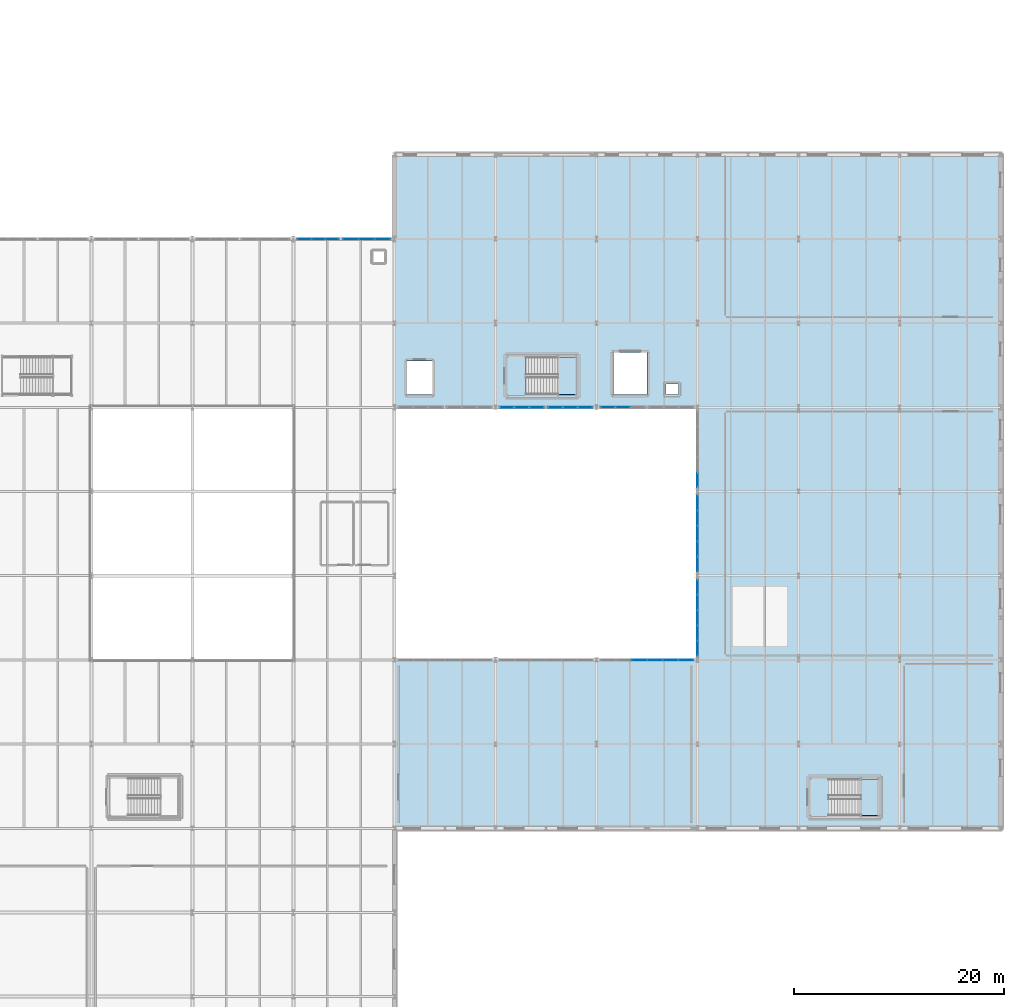
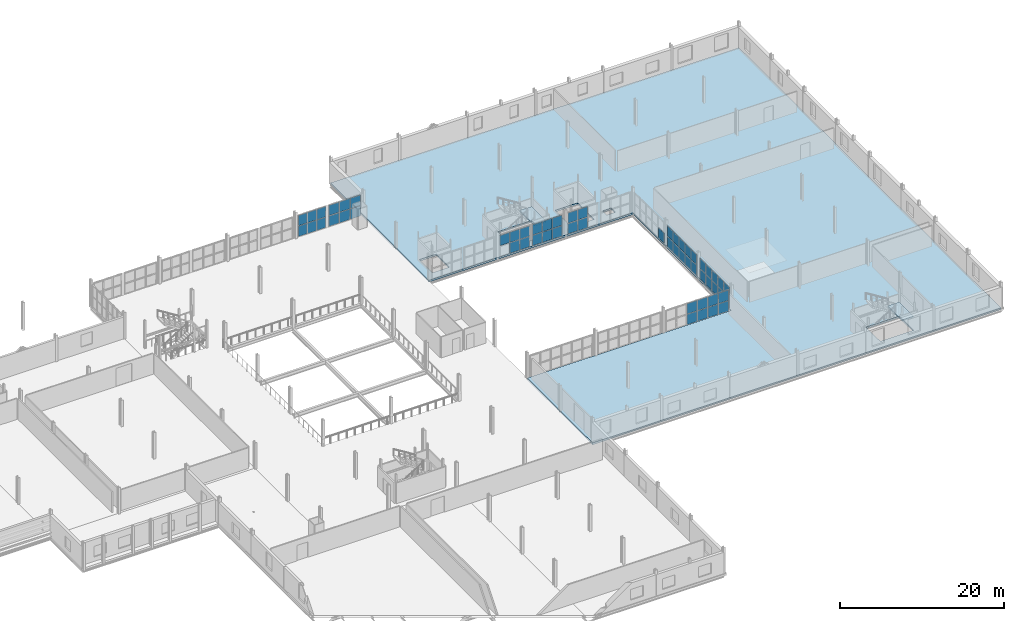
# One storey, part 52 of 78: 56 plates, 3 slabs, 11 elements without a shape of their own.
"""IFC4 building model written with IfcOpenShell, lengths in metres."""

from ifc_helpers import new_model, si_unit, direction, frame, origin, origin_2d, place, context, subcontext, project, spatial, polyline, rectangle, outline, extrude, material, layer, layer_set, type_object, element, aggregate, save


model = new_model("IFC4")

# Units and contexts
model_context = context("Model", 3, precision=1e-05, world=origin(), true_north=direction((0.0, 1.0)))
body_context = subcontext(model_context, "Body", "Model", "MODEL_VIEW")
ifc_project = project(units=[si_unit("LENGTHUNIT", "METRE"), si_unit("AREAUNIT", "SQUARE_METRE"), si_unit("VOLUMEUNIT", "CUBIC_METRE"), si_unit("PLANEANGLEUNIT", "RADIAN"), si_unit("MASSUNIT", "GRAM", prefix="KILO")], contexts=[model_context])

# Site, building, storey
site_placement = place(None, origin())
site = spatial("IfcSite", under=ifc_project, at=site_placement, CompositionType="ELEMENT")
building_placement = place(site_placement, origin())
building = spatial("IfcBuilding", under=site, at=building_placement, Name="Alderhovde Museum", CompositionType="ELEMENT")
storey_placement = place(building_placement, frame((0.0, 0.0, 4.5)))
storey = spatial("IfcBuildingStorey", under=building, at=storey_placement, Name="L01", CompositionType="ELEMENT", Elevation=4.5)

# Curtain wall, plates
ifc_material_1 = material(Name="Triple-Glazed Bronze-Anodised Curtain Wall", Category="glass")
ifc_layer_1 = layer(ifc_material_1, 0.179931640625)
ifc_layer_set_1 = layer_set([ifc_layer_1], Name="Triple-Glazed Bronze-Anodised Curtain Wall")
curtain_wall_type_1 = type_object("IfcCurtainWallType", Name="CW-UNIT-459x326", PredefinedType="USERDEFINED", material=ifc_layer_set_1)
curtain_wall_1_placement = place(storey_placement, origin())
curtain_wall_1 = element("IfcCurtainWall", 1, at=curtain_wall_1_placement, inside=storey, type_object=curtain_wall_type_1, Name="L01 Unitised Curtain Wall 24", ObjectType="UNITISED CURTAIN WALL", PredefinedType="USERDEFINED")
ifc_material_2 = material(Name="Triple-Glazed Low-E Laminated Glass", Category="glass")
ifc_layer_2 = layer(ifc_material_2, 0.028076171875)
ifc_layer_set_2 = layer_set([ifc_layer_2], Name="Triple-Glazed Low-E Laminated Glass")
plate_type_1 = type_object("IfcPlateType", Name="CWP-GLAZ-28", PredefinedType="CURTAIN_PANEL", material=ifc_layer_set_2)
plate_1_placement = place(storey_placement, frame((111.032958984375, 88.0, 0.06494140625), z_axis=(0.0, 0.0, 1.0), x_axis=(1.0, 0.0, 0.0)))
plate_1 = element("IfcPlate", 2, at=plate_1_placement, type_object=plate_type_1, Name="CW09 panel 1.1", PredefinedType="CURTAIN_PANEL", context=body_context, shape_type="SweptSolid", body=[
    extrude(rectangle(XDim=1.435791015625, YDim=0.028076171875, at=origin_2d()), origin(), (0.0, 0.0, 1.0), 1.532470703125),
])
plate_2_placement = place(storey_placement, frame((111.032958984375, 88.0, 1.66259765625), z_axis=(0.0, 0.0, 1.0), x_axis=(1.0, 0.0, 0.0)))
plate_2 = element("IfcPlate", 3, at=plate_2_placement, type_object=plate_type_1, Name="CW09 panel 1.2", PredefinedType="CURTAIN_PANEL", context=body_context, shape_type="SweptSolid", body=[
    extrude(rectangle(XDim=1.435791015625, YDim=0.028076171875, at=origin_2d()), origin(), (0.0, 0.0, 1.0), 1.532470703125),
])
plate_3_placement = place(storey_placement, frame((112.550048828125, 88.0, 0.06494140625), z_axis=(0.0, 0.0, 1.0), x_axis=(1.0, 0.0, 0.0)))
plate_3 = element("IfcPlate", 4, at=plate_3_placement, type_object=plate_type_1, Name="CW09 panel 2.1", PredefinedType="CURTAIN_PANEL", context=body_context, shape_type="SweptSolid", body=[
    extrude(rectangle(XDim=1.46826171875, YDim=0.028076171875, at=origin_2d()), origin(), (0.0, 0.0, 1.0), 1.532470703125),
])
plate_4_placement = place(storey_placement, frame((112.550048828125, 88.0, 1.66259765625), z_axis=(0.0, 0.0, 1.0), x_axis=(1.0, 0.0, 0.0)))
plate_4 = element("IfcPlate", 5, at=plate_4_placement, type_object=plate_type_1, Name="CW09 panel 2.2", PredefinedType="CURTAIN_PANEL", context=body_context, shape_type="SweptSolid", body=[
    extrude(rectangle(XDim=1.46826171875, YDim=0.028076171875, at=origin_2d()), origin(), (0.0, 0.0, 1.0), 1.532470703125),
])
plate_5_placement = place(storey_placement, frame((114.067138671875, 88.0, 0.06494140625), z_axis=(0.0, 0.0, 1.0), x_axis=(1.0, 0.0, 0.0)))
plate_5 = element("IfcPlate", 6, at=plate_5_placement, type_object=plate_type_1, Name="CW09 panel 3.1", PredefinedType="CURTAIN_PANEL", context=body_context, shape_type="SweptSolid", body=[
    extrude(rectangle(XDim=1.435791015625, YDim=0.028076171875, at=origin_2d()), origin(), (0.0, 0.0, 1.0), 1.532470703125),
])
plate_6_placement = place(storey_placement, frame((114.067138671875, 88.0, 1.66259765625), z_axis=(0.0, 0.0, 1.0), x_axis=(1.0, 0.0, 0.0)))
plate_6 = element("IfcPlate", 7, at=plate_6_placement, type_object=plate_type_1, Name="CW09 panel 3.2", PredefinedType="CURTAIN_PANEL", context=body_context, shape_type="SweptSolid", body=[
    extrude(rectangle(XDim=1.435791015625, YDim=0.028076171875, at=origin_2d()), origin(), (0.0, 0.0, 1.0), 1.532470703125),
])
aggregate(curtain_wall_1, [plate_1, plate_2, plate_3, plate_4, plate_5, plate_6])

ifc_material_3 = material(Name="Triple-Glazed Bronze-Anodised Curtain Wall", Category="glass")
ifc_layer_3 = layer(ifc_material_3, 0.179931640625)
ifc_layer_set_3 = layer_set([ifc_layer_3], Name="Triple-Glazed Bronze-Anodised Curtain Wall")
curtain_wall_type_2 = type_object("IfcCurtainWallType", Name="CW-STIC-730x326", PredefinedType="USERDEFINED", material=ifc_layer_set_3)
curtain_wall_2_placement = place(storey_placement, origin())
curtain_wall_2 = element("IfcCurtainWall", 8, at=curtain_wall_2_placement, inside=storey, type_object=curtain_wall_type_2, Name="L01 Stick Curtain Wall 152", ObjectType="STICK CURTAIN WALL", PredefinedType="USERDEFINED")
plate_7_placement = place(storey_placement, frame((144.0, 49.09619140625, 0.06494140625), z_axis=(0.0, 0.0, 1.0), x_axis=(0.0, 1.0, 0.0)))
plate_7 = element("IfcPlate", 9, at=plate_7_placement, type_object=plate_type_1, Name="CW36 panel 1.1", PredefinedType="CURTAIN_PANEL", context=body_context, shape_type="SweptSolid", body=[
    extrude(rectangle(XDim=1.362548828125, YDim=0.028076171875, at=origin_2d()), origin(), (0.0, 0.0, 1.0), 1.532470703125),
])
plate_8_placement = place(storey_placement, frame((144.0, 49.09619140625, 1.66259765625), z_axis=(0.0, 0.0, 1.0), x_axis=(0.0, 1.0, 0.0)))
plate_8 = element("IfcPlate", 10, at=plate_8_placement, type_object=plate_type_1, Name="CW36 panel 1.2", PredefinedType="CURTAIN_PANEL", context=body_context, shape_type="SweptSolid", body=[
    extrude(rectangle(XDim=1.362548828125, YDim=0.028076171875, at=origin_2d()), origin(), (0.0, 0.0, 1.0), 1.532470703125),
])
plate_9_placement = place(storey_placement, frame((144.0, 50.5400390625, 0.06494140625), z_axis=(0.0, 0.0, 1.0), x_axis=(0.0, 1.0, 0.0)))
plate_9 = element("IfcPlate", 11, at=plate_9_placement, type_object=plate_type_1, Name="CW36 panel 2.1", PredefinedType="CURTAIN_PANEL", context=body_context, shape_type="SweptSolid", body=[
    extrude(rectangle(XDim=1.39501953125, YDim=0.028076171875, at=origin_2d()), origin(), (0.0, 0.0, 1.0), 1.532470703125),
])
plate_10_placement = place(storey_placement, frame((144.0, 50.5400390625, 1.66259765625), z_axis=(0.0, 0.0, 1.0), x_axis=(0.0, 1.0, 0.0)))
plate_10 = element("IfcPlate", 12, at=plate_10_placement, type_object=plate_type_1, Name="CW36 panel 2.2", PredefinedType="CURTAIN_PANEL", context=body_context, shape_type="SweptSolid", body=[
    extrude(rectangle(XDim=1.39501953125, YDim=0.028076171875, at=origin_2d()), origin(), (0.0, 0.0, 1.0), 1.532470703125),
])
plate_11_placement = place(storey_placement, frame((144.0, 52.0, 0.06494140625), z_axis=(0.0, 0.0, 1.0), x_axis=(0.0, 1.0, 0.0)))
plate_11 = element("IfcPlate", 13, at=plate_11_placement, type_object=plate_type_1, Name="CW36 panel 3.1", PredefinedType="CURTAIN_PANEL", context=body_context, shape_type="SweptSolid", body=[
    extrude(rectangle(XDim=1.39501953125, YDim=0.028076171875, at=origin_2d()), origin(), (0.0, 0.0, 1.0), 1.532470703125),
])
plate_12_placement = place(storey_placement, frame((144.0, 52.0, 1.66259765625), z_axis=(0.0, 0.0, 1.0), x_axis=(0.0, 1.0, 0.0)))
plate_12 = element("IfcPlate", 14, at=plate_12_placement, type_object=plate_type_1, Name="CW36 panel 3.2", PredefinedType="CURTAIN_PANEL", context=body_context, shape_type="SweptSolid", body=[
    extrude(rectangle(XDim=1.39501953125, YDim=0.028076171875, at=origin_2d()), origin(), (0.0, 0.0, 1.0), 1.532470703125),
])
plate_13_placement = place(storey_placement, frame((144.0, 53.4599609375, 0.06494140625), z_axis=(0.0, 0.0, 1.0), x_axis=(0.0, 1.0, 0.0)))
plate_13 = element("IfcPlate", 15, at=plate_13_placement, type_object=plate_type_1, Name="CW36 panel 4.1", PredefinedType="CURTAIN_PANEL", context=body_context, shape_type="SweptSolid", body=[
    extrude(rectangle(XDim=1.39501953125, YDim=0.028076171875, at=origin_2d()), origin(), (0.0, 0.0, 1.0), 1.532470703125),
])
plate_14_placement = place(storey_placement, frame((144.0, 53.4599609375, 1.66259765625), z_axis=(0.0, 0.0, 1.0), x_axis=(0.0, 1.0, 0.0)))
plate_14 = element("IfcPlate", 16, at=plate_14_placement, type_object=plate_type_1, Name="CW36 panel 4.2", PredefinedType="CURTAIN_PANEL", context=body_context, shape_type="SweptSolid", body=[
    extrude(rectangle(XDim=1.39501953125, YDim=0.028076171875, at=origin_2d()), origin(), (0.0, 0.0, 1.0), 1.532470703125),
])
plate_15_placement = place(storey_placement, frame((144.0, 54.90380859375, 0.06494140625), z_axis=(0.0, 0.0, 1.0), x_axis=(0.0, 1.0, 0.0)))
plate_15 = element("IfcPlate", 17, at=plate_15_placement, type_object=plate_type_1, Name="CW36 panel 5.1", PredefinedType="CURTAIN_PANEL", context=body_context, shape_type="SweptSolid", body=[
    extrude(rectangle(XDim=1.362548828125, YDim=0.028076171875, at=origin_2d()), origin(), (0.0, 0.0, 1.0), 1.532470703125),
])
plate_16_placement = place(storey_placement, frame((144.0, 54.90380859375, 1.66259765625), z_axis=(0.0, 0.0, 1.0), x_axis=(0.0, 1.0, 0.0)))
plate_16 = element("IfcPlate", 18, at=plate_16_placement, type_object=plate_type_1, Name="CW36 panel 5.2", PredefinedType="CURTAIN_PANEL", context=body_context, shape_type="SweptSolid", body=[
    extrude(rectangle(XDim=1.362548828125, YDim=0.028076171875, at=origin_2d()), origin(), (0.0, 0.0, 1.0), 1.532470703125),
])
aggregate(curtain_wall_2, [plate_7, plate_8, plate_9, plate_10, plate_11, plate_12, plate_13, plate_14, plate_15, plate_16])

ifc_material_4 = material(Name="Triple-Glazed Bronze-Anodised Curtain Wall", Category="glass")
ifc_layer_4 = layer(ifc_material_4, 0.179931640625)
ifc_layer_set_4 = layer_set([ifc_layer_4], Name="Triple-Glazed Bronze-Anodised Curtain Wall")
curtain_wall_type_3 = type_object("IfcCurtainWallType", Name="CW-STIC-430x326", PredefinedType="USERDEFINED", material=ifc_layer_set_4)
curtain_wall_3_placement = place(storey_placement, origin())
curtain_wall_3 = element("IfcCurtainWall", 19, at=curtain_wall_3_placement, inside=storey, type_object=curtain_wall_type_3, Name="L01 Stick Curtain Wall 149", ObjectType="STICK CURTAIN WALL", PredefinedType="USERDEFINED")
ifc_material_5 = material(Name="Triple-Glazed Low-E Laminated Glass", Category="glass")
ifc_layer_5 = layer(ifc_material_5, 0.035888671875)
ifc_layer_set_5 = layer_set([ifc_layer_5], Name="Triple-Glazed Low-E Laminated Glass")
plate_type_2 = type_object("IfcPlateType", Name="CWP-GLAZ-36", PredefinedType="CURTAIN_PANEL", material=ifc_layer_set_5)
plate_17_placement = place(storey_placement, frame((135.48291015625, 72.0, 0.06494140625), z_axis=(0.0, 0.0, 1.0), x_axis=(1.0, 0.0, 0.0)))
plate_17 = element("IfcPlate", 20, at=plate_17_placement, type_object=plate_type_2, Name="CW34 panel 1.1", PredefinedType="CURTAIN_PANEL", context=body_context, shape_type="SweptSolid", body=[
    extrude(rectangle(XDim=1.3359375, YDim=0.035888671875, at=origin_2d()), origin(), (0.0, 0.0, 1.0), 1.532470703125),
])
plate_18_placement = place(storey_placement, frame((135.48291015625, 72.0, 1.66259765625), z_axis=(0.0, 0.0, 1.0), x_axis=(1.0, 0.0, 0.0)))
plate_18 = element("IfcPlate", 21, at=plate_18_placement, type_object=plate_type_2, Name="CW34 panel 1.2", PredefinedType="CURTAIN_PANEL", context=body_context, shape_type="SweptSolid", body=[
    extrude(rectangle(XDim=1.3359375, YDim=0.035888671875, at=origin_2d()), origin(), (0.0, 0.0, 1.0), 1.532470703125),
])
plate_19_placement = place(storey_placement, frame((136.89990234375, 72.0, 0.06494140625), z_axis=(0.0, 0.0, 1.0), x_axis=(1.0, 0.0, 0.0)))
plate_19 = element("IfcPlate", 22, at=plate_19_placement, type_object=plate_type_2, Name="CW34 panel 2.1", PredefinedType="CURTAIN_PANEL", context=body_context, shape_type="SweptSolid", body=[
    extrude(rectangle(XDim=1.368408203125, YDim=0.035888671875, at=origin_2d()), origin(), (0.0, 0.0, 1.0), 1.532470703125),
])
plate_20_placement = place(storey_placement, frame((136.89990234375, 72.0, 1.66259765625), z_axis=(0.0, 0.0, 1.0), x_axis=(1.0, 0.0, 0.0)))
plate_20 = element("IfcPlate", 23, at=plate_20_placement, type_object=plate_type_2, Name="CW34 panel 2.2", PredefinedType="CURTAIN_PANEL", context=body_context, shape_type="SweptSolid", body=[
    extrude(rectangle(XDim=1.368408203125, YDim=0.035888671875, at=origin_2d()), origin(), (0.0, 0.0, 1.0), 1.532470703125),
])
aggregate(curtain_wall_3, [plate_17, plate_18, plate_19, plate_20])

curtain_wall_4_placement = place(storey_placement, origin())
curtain_wall_4 = element("IfcCurtainWall", 24, at=curtain_wall_4_placement, inside=storey, type_object=curtain_wall_type_2, Name="L01 Stick Curtain Wall 153", ObjectType="STICK CURTAIN WALL", PredefinedType="USERDEFINED")
plate_21_placement = place(storey_placement, frame((144.0, 57.09619140625, 0.06494140625), z_axis=(0.0, 0.0, 1.0), x_axis=(0.0, 1.0, 0.0)))
plate_21 = element("IfcPlate", 25, at=plate_21_placement, type_object=plate_type_2, Name="CW36 panel 1.1", PredefinedType="CURTAIN_PANEL", context=body_context, shape_type="SweptSolid", body=[
    extrude(rectangle(XDim=1.362548828125, YDim=0.035888671875, at=origin_2d()), origin(), (0.0, 0.0, 1.0), 1.532470703125),
])
plate_22_placement = place(storey_placement, frame((144.0, 57.09619140625, 1.66259765625), z_axis=(0.0, 0.0, 1.0), x_axis=(0.0, 1.0, 0.0)))
plate_22 = element("IfcPlate", 26, at=plate_22_placement, type_object=plate_type_2, Name="CW36 panel 1.2", PredefinedType="CURTAIN_PANEL", context=body_context, shape_type="SweptSolid", body=[
    extrude(rectangle(XDim=1.362548828125, YDim=0.035888671875, at=origin_2d()), origin(), (0.0, 0.0, 1.0), 1.532470703125),
])
plate_23_placement = place(storey_placement, frame((144.0, 58.5400390625, 0.06494140625), z_axis=(0.0, 0.0, 1.0), x_axis=(0.0, 1.0, 0.0)))
plate_23 = element("IfcPlate", 27, at=plate_23_placement, type_object=plate_type_2, Name="CW36 panel 2.1", PredefinedType="CURTAIN_PANEL", context=body_context, shape_type="SweptSolid", body=[
    extrude(rectangle(XDim=1.39501953125, YDim=0.035888671875, at=origin_2d()), origin(), (0.0, 0.0, 1.0), 1.532470703125),
])
plate_24_placement = place(storey_placement, frame((144.0, 58.5400390625, 1.66259765625), z_axis=(0.0, 0.0, 1.0), x_axis=(0.0, 1.0, 0.0)))
plate_24 = element("IfcPlate", 28, at=plate_24_placement, type_object=plate_type_2, Name="CW36 panel 2.2", PredefinedType="CURTAIN_PANEL", context=body_context, shape_type="SweptSolid", body=[
    extrude(rectangle(XDim=1.39501953125, YDim=0.035888671875, at=origin_2d()), origin(), (0.0, 0.0, 1.0), 1.532470703125),
])
plate_25_placement = place(storey_placement, frame((144.0, 60.0, 0.06494140625), z_axis=(0.0, 0.0, 1.0), x_axis=(0.0, 1.0, 0.0)))
plate_25 = element("IfcPlate", 29, at=plate_25_placement, type_object=plate_type_2, Name="CW36 panel 3.1", PredefinedType="CURTAIN_PANEL", context=body_context, shape_type="SweptSolid", body=[
    extrude(rectangle(XDim=1.39501953125, YDim=0.035888671875, at=origin_2d()), origin(), (0.0, 0.0, 1.0), 1.532470703125),
])
plate_26_placement = place(storey_placement, frame((144.0, 60.0, 1.66259765625), z_axis=(0.0, 0.0, 1.0), x_axis=(0.0, 1.0, 0.0)))
plate_26 = element("IfcPlate", 30, at=plate_26_placement, type_object=plate_type_2, Name="CW36 panel 3.2", PredefinedType="CURTAIN_PANEL", context=body_context, shape_type="SweptSolid", body=[
    extrude(rectangle(XDim=1.39501953125, YDim=0.035888671875, at=origin_2d()), origin(), (0.0, 0.0, 1.0), 1.532470703125),
])
plate_27_placement = place(storey_placement, frame((144.0, 61.4599609375, 0.06494140625), z_axis=(0.0, 0.0, 1.0), x_axis=(0.0, 1.0, 0.0)))
plate_27 = element("IfcPlate", 31, at=plate_27_placement, type_object=plate_type_2, Name="CW36 panel 4.1", PredefinedType="CURTAIN_PANEL", context=body_context, shape_type="SweptSolid", body=[
    extrude(rectangle(XDim=1.39501953125, YDim=0.035888671875, at=origin_2d()), origin(), (0.0, 0.0, 1.0), 1.532470703125),
])
plate_28_placement = place(storey_placement, frame((144.0, 61.4599609375, 1.66259765625), z_axis=(0.0, 0.0, 1.0), x_axis=(0.0, 1.0, 0.0)))
plate_28 = element("IfcPlate", 32, at=plate_28_placement, type_object=plate_type_2, Name="CW36 panel 4.2", PredefinedType="CURTAIN_PANEL", context=body_context, shape_type="SweptSolid", body=[
    extrude(rectangle(XDim=1.39501953125, YDim=0.035888671875, at=origin_2d()), origin(), (0.0, 0.0, 1.0), 1.532470703125),
])
plate_29_placement = place(storey_placement, frame((144.0, 62.90380859375, 0.06494140625), z_axis=(0.0, 0.0, 1.0), x_axis=(0.0, 1.0, 0.0)))
plate_29 = element("IfcPlate", 33, at=plate_29_placement, type_object=plate_type_2, Name="CW36 panel 5.1", PredefinedType="CURTAIN_PANEL", context=body_context, shape_type="SweptSolid", body=[
    extrude(rectangle(XDim=1.362548828125, YDim=0.035888671875, at=origin_2d()), origin(), (0.0, 0.0, 1.0), 1.532470703125),
])
plate_30_placement = place(storey_placement, frame((144.0, 62.90380859375, 1.66259765625), z_axis=(0.0, 0.0, 1.0), x_axis=(0.0, 1.0, 0.0)))
plate_30 = element("IfcPlate", 34, at=plate_30_placement, type_object=plate_type_2, Name="CW36 panel 5.2", PredefinedType="CURTAIN_PANEL", context=body_context, shape_type="SweptSolid", body=[
    extrude(rectangle(XDim=1.362548828125, YDim=0.035888671875, at=origin_2d()), origin(), (0.0, 0.0, 1.0), 1.532470703125),
])
aggregate(curtain_wall_4, [plate_21, plate_22, plate_23, plate_24, plate_25, plate_26, plate_27, plate_28, plate_29, plate_30])

curtain_wall_5_placement = place(storey_placement, origin())
curtain_wall_5 = element("IfcCurtainWall", 35, at=curtain_wall_5_placement, inside=storey, type_object=curtain_wall_type_3, Name="L01 Stick Curtain Wall 146", ObjectType="STICK CURTAIN WALL", PredefinedType="USERDEFINED")
ifc_material_6 = material(Name="Triple-Glazed Low-E Laminated Glass", Category="glass")
ifc_layer_6 = layer(ifc_material_6, 0.0439453125)
ifc_layer_set_6 = layer_set([ifc_layer_6], Name="Triple-Glazed Low-E Laminated Glass")
plate_type_3 = type_object("IfcPlateType", Name="CWP-GLAZ-44", PredefinedType="CURTAIN_PANEL", material=ifc_layer_set_6)
plate_31_placement = place(storey_placement, frame((125.8828125, 72.0, 1.66259765625), z_axis=(0.0, 0.0, 1.0), x_axis=(1.0, 0.0, 0.0)))
plate_31 = element("IfcPlate", 36, at=plate_31_placement, type_object=plate_type_3, Name="CW34 panel 1.2", PredefinedType="CURTAIN_PANEL", context=body_context, shape_type="SweptSolid", body=[
    extrude(rectangle(XDim=1.3359375, YDim=0.0439453125, at=origin_2d()), origin(), (0.0, 0.0, 1.0), 1.532470703125),
])
plate_32_placement = place(storey_placement, frame((127.300048828125, 72.0, 0.06494140625), z_axis=(0.0, 0.0, 1.0), x_axis=(1.0, 0.0, 0.0)))
plate_32 = element("IfcPlate", 37, at=plate_32_placement, type_object=plate_type_3, Name="CW34 panel 2.1", PredefinedType="CURTAIN_PANEL", context=body_context, shape_type="SweptSolid", body=[
    extrude(rectangle(XDim=1.368408203125, YDim=0.0439453125, at=origin_2d()), origin(), (0.0, 0.0, 1.0), 1.532470703125),
])
plate_33_placement = place(storey_placement, frame((127.300048828125, 72.0, 1.66259765625), z_axis=(0.0, 0.0, 1.0), x_axis=(1.0, 0.0, 0.0)))
plate_33 = element("IfcPlate", 38, at=plate_33_placement, type_object=plate_type_3, Name="CW34 panel 2.2", PredefinedType="CURTAIN_PANEL", context=body_context, shape_type="SweptSolid", body=[
    extrude(rectangle(XDim=1.368408203125, YDim=0.0439453125, at=origin_2d()), origin(), (0.0, 0.0, 1.0), 1.532470703125),
])
plate_34_placement = place(storey_placement, frame((128.717041015625, 72.0, 0.06494140625), z_axis=(0.0, 0.0, 1.0), x_axis=(1.0, 0.0, 0.0)))
plate_34 = element("IfcPlate", 39, at=plate_34_placement, type_object=plate_type_3, Name="CW34 panel 3.1", PredefinedType="CURTAIN_PANEL", context=body_context, shape_type="SweptSolid", body=[
    extrude(rectangle(XDim=1.3359375, YDim=0.0439453125, at=origin_2d()), origin(), (0.0, 0.0, 1.0), 1.532470703125),
])
plate_35_placement = place(storey_placement, frame((128.717041015625, 72.0, 1.66259765625), z_axis=(0.0, 0.0, 1.0), x_axis=(1.0, 0.0, 0.0)))
plate_35 = element("IfcPlate", 40, at=plate_35_placement, type_object=plate_type_3, Name="CW34 panel 3.2", PredefinedType="CURTAIN_PANEL", context=body_context, shape_type="SweptSolid", body=[
    extrude(rectangle(XDim=1.3359375, YDim=0.0439453125, at=origin_2d()), origin(), (0.0, 0.0, 1.0), 1.532470703125),
])
aggregate(curtain_wall_5, [plate_31, plate_32, plate_33, plate_34, plate_35])

# Curtain wall, plate
curtain_wall_6_placement = place(storey_placement, origin())
curtain_wall_6 = element("IfcCurtainWall", 41, at=curtain_wall_6_placement, inside=storey, type_object=curtain_wall_type_2, Name="L01 Stick Curtain Wall 154", ObjectType="STICK CURTAIN WALL", PredefinedType="USERDEFINED")
plate_36_placement = place(storey_placement, frame((144.0, 65.09619140625, 0.06494140625), z_axis=(0.0, 0.0, 1.0), x_axis=(0.0, 1.0, 0.0)))
plate_36 = element("IfcPlate", 42, at=plate_36_placement, type_object=plate_type_3, Name="CW36 panel 1.1", PredefinedType="CURTAIN_PANEL", context=body_context, shape_type="SweptSolid", body=[
    extrude(rectangle(XDim=1.362548828125, YDim=0.0439453125, at=origin_2d()), origin(), (0.0, 0.0, 1.0), 1.532470703125),
])
aggregate(curtain_wall_6, [plate_36])

# Curtain wall, plates
ifc_material_7 = material(Name="Triple-Glazed Bronze-Anodised Curtain Wall", Category="glass")
ifc_layer_7 = layer(ifc_material_7, 0.179931640625)
ifc_layer_set_7 = layer_set([ifc_layer_7], Name="Triple-Glazed Bronze-Anodised Curtain Wall")
curtain_wall_type_4 = type_object("IfcCurtainWallType", Name="CW-UNIT-400x326", PredefinedType="USERDEFINED", material=ifc_layer_set_7)
curtain_wall_7_placement = place(storey_placement, origin())
curtain_wall_7 = element("IfcCurtainWall", 43, at=curtain_wall_7_placement, inside=storey, type_object=curtain_wall_type_4, Name="L01 Unitised Curtain Wall 23", ObjectType="UNITISED CURTAIN WALL", PredefinedType="USERDEFINED")
ifc_material_8 = material(Name="Triple-Glazed Low-E Laminated Glass", Category="glass")
ifc_layer_8 = layer(ifc_material_8, 0.052001953125)
ifc_layer_set_8 = layer_set([ifc_layer_8], Name="Triple-Glazed Low-E Laminated Glass")
plate_type_4 = type_object("IfcPlateType", Name="CWP-GLAZ-52", PredefinedType="CURTAIN_PANEL", material=ifc_layer_set_8)
plate_37_placement = place(storey_placement, frame((106.6328125, 88.0, 0.06494140625), z_axis=(0.0, 0.0, 1.0), x_axis=(1.0, 0.0, 0.0)))
plate_37 = element("IfcPlate", 44, at=plate_37_placement, type_object=plate_type_4, Name="CW08 panel 1.1", PredefinedType="CURTAIN_PANEL", context=body_context, shape_type="SweptSolid", body=[
    extrude(rectangle(XDim=1.23583984375, YDim=0.052001953125, at=origin_2d()), origin(), (0.0, 0.0, 1.0), 1.532470703125),
])
plate_38_placement = place(storey_placement, frame((106.6328125, 88.0, 1.66259765625), z_axis=(0.0, 0.0, 1.0), x_axis=(1.0, 0.0, 0.0)))
plate_38 = element("IfcPlate", 45, at=plate_38_placement, type_object=plate_type_4, Name="CW08 panel 1.2", PredefinedType="CURTAIN_PANEL", context=body_context, shape_type="SweptSolid", body=[
    extrude(rectangle(XDim=1.23583984375, YDim=0.052001953125, at=origin_2d()), origin(), (0.0, 0.0, 1.0), 1.532470703125),
])
plate_39_placement = place(storey_placement, frame((107.949951171875, 88.0, 0.06494140625), z_axis=(0.0, 0.0, 1.0), x_axis=(1.0, 0.0, 0.0)))
plate_39 = element("IfcPlate", 46, at=plate_39_placement, type_object=plate_type_4, Name="CW08 panel 2.1", PredefinedType="CURTAIN_PANEL", context=body_context, shape_type="SweptSolid", body=[
    extrude(rectangle(XDim=1.268310546875, YDim=0.052001953125, at=origin_2d()), origin(), (0.0, 0.0, 1.0), 1.532470703125),
])
plate_40_placement = place(storey_placement, frame((107.949951171875, 88.0, 1.66259765625), z_axis=(0.0, 0.0, 1.0), x_axis=(1.0, 0.0, 0.0)))
plate_40 = element("IfcPlate", 47, at=plate_40_placement, type_object=plate_type_4, Name="CW08 panel 2.2", PredefinedType="CURTAIN_PANEL", context=body_context, shape_type="SweptSolid", body=[
    extrude(rectangle(XDim=1.268310546875, YDim=0.052001953125, at=origin_2d()), origin(), (0.0, 0.0, 1.0), 1.532470703125),
])
plate_41_placement = place(storey_placement, frame((109.26708984375, 88.0, 0.06494140625), z_axis=(0.0, 0.0, 1.0), x_axis=(1.0, 0.0, 0.0)))
plate_41 = element("IfcPlate", 48, at=plate_41_placement, type_object=plate_type_4, Name="CW08 panel 3.1", PredefinedType="CURTAIN_PANEL", context=body_context, shape_type="SweptSolid", body=[
    extrude(rectangle(XDim=1.23583984375, YDim=0.052001953125, at=origin_2d()), origin(), (0.0, 0.0, 1.0), 1.532470703125),
])
plate_42_placement = place(storey_placement, frame((109.26708984375, 88.0, 1.66259765625), z_axis=(0.0, 0.0, 1.0), x_axis=(1.0, 0.0, 0.0)))
plate_42 = element("IfcPlate", 49, at=plate_42_placement, type_object=plate_type_4, Name="CW08 panel 3.2", PredefinedType="CURTAIN_PANEL", context=body_context, shape_type="SweptSolid", body=[
    extrude(rectangle(XDim=1.23583984375, YDim=0.052001953125, at=origin_2d()), origin(), (0.0, 0.0, 1.0), 1.532470703125),
])
aggregate(curtain_wall_7, [plate_37, plate_38, plate_39, plate_40, plate_41, plate_42])

curtain_wall_8_placement = place(storey_placement, origin())
curtain_wall_8 = element("IfcCurtainWall", 50, at=curtain_wall_8_placement, inside=storey, type_object=curtain_wall_type_3, Name="L01 Stick Curtain Wall 147", ObjectType="STICK CURTAIN WALL", PredefinedType="USERDEFINED")
plate_43_placement = place(storey_placement, frame((130.48291015625, 72.0, 0.06494140625), z_axis=(0.0, 0.0, 1.0), x_axis=(1.0, 0.0, 0.0)))
plate_43 = element("IfcPlate", 51, at=plate_43_placement, type_object=plate_type_4, Name="CW34 panel 1.1", PredefinedType="CURTAIN_PANEL", context=body_context, shape_type="SweptSolid", body=[
    extrude(rectangle(XDim=1.3359375, YDim=0.052001953125, at=origin_2d()), origin(), (0.0, 0.0, 1.0), 1.532470703125),
])
plate_44_placement = place(storey_placement, frame((130.48291015625, 72.0, 1.66259765625), z_axis=(0.0, 0.0, 1.0), x_axis=(1.0, 0.0, 0.0)))
plate_44 = element("IfcPlate", 52, at=plate_44_placement, type_object=plate_type_4, Name="CW34 panel 1.2", PredefinedType="CURTAIN_PANEL", context=body_context, shape_type="SweptSolid", body=[
    extrude(rectangle(XDim=1.3359375, YDim=0.052001953125, at=origin_2d()), origin(), (0.0, 0.0, 1.0), 1.532470703125),
])
plate_45_placement = place(storey_placement, frame((131.89990234375, 72.0, 0.06494140625), z_axis=(0.0, 0.0, 1.0), x_axis=(1.0, 0.0, 0.0)))
plate_45 = element("IfcPlate", 53, at=plate_45_placement, type_object=plate_type_4, Name="CW34 panel 2.1", PredefinedType="CURTAIN_PANEL", context=body_context, shape_type="SweptSolid", body=[
    extrude(rectangle(XDim=1.368408203125, YDim=0.052001953125, at=origin_2d()), origin(), (0.0, 0.0, 1.0), 1.532470703125),
])
plate_46_placement = place(storey_placement, frame((131.89990234375, 72.0, 1.66259765625), z_axis=(0.0, 0.0, 1.0), x_axis=(1.0, 0.0, 0.0)))
plate_46 = element("IfcPlate", 54, at=plate_46_placement, type_object=plate_type_4, Name="CW34 panel 2.2", PredefinedType="CURTAIN_PANEL", context=body_context, shape_type="SweptSolid", body=[
    extrude(rectangle(XDim=1.368408203125, YDim=0.052001953125, at=origin_2d()), origin(), (0.0, 0.0, 1.0), 1.532470703125),
])
plate_47_placement = place(storey_placement, frame((133.317138671875, 72.0, 0.06494140625), z_axis=(0.0, 0.0, 1.0), x_axis=(1.0, 0.0, 0.0)))
plate_47 = element("IfcPlate", 55, at=plate_47_placement, type_object=plate_type_4, Name="CW34 panel 3.1", PredefinedType="CURTAIN_PANEL", context=body_context, shape_type="SweptSolid", body=[
    extrude(rectangle(XDim=1.3359375, YDim=0.052001953125, at=origin_2d()), origin(), (0.0, 0.0, 1.0), 1.532470703125),
])
plate_48_placement = place(storey_placement, frame((133.317138671875, 72.0, 1.66259765625), z_axis=(0.0, 0.0, 1.0), x_axis=(1.0, 0.0, 0.0)))
plate_48 = element("IfcPlate", 56, at=plate_48_placement, type_object=plate_type_4, Name="CW34 panel 3.2", PredefinedType="CURTAIN_PANEL", context=body_context, shape_type="SweptSolid", body=[
    extrude(rectangle(XDim=1.3359375, YDim=0.052001953125, at=origin_2d()), origin(), (0.0, 0.0, 1.0), 1.532470703125),
])
aggregate(curtain_wall_8, [plate_43, plate_44, plate_45, plate_46, plate_47, plate_48])

ifc_material_9 = material(Name="Triple-Glazed Bronze-Anodised Curtain Wall", Category="glass")
ifc_layer_9 = layer(ifc_material_9, 0.179931640625)
ifc_layer_set_9 = layer_set([ifc_layer_9], Name="Triple-Glazed Bronze-Anodised Curtain Wall")
curtain_wall_type_5 = type_object("IfcCurtainWallType", Name="CW-STIC-890x326", PredefinedType="USERDEFINED", material=ifc_layer_set_9)
curtain_wall_9_placement = place(storey_placement, origin())
curtain_wall_9 = element("IfcCurtainWall", 57, at=curtain_wall_9_placement, inside=storey, type_object=curtain_wall_type_5, Name="L01 Stick Curtain Wall 151", ObjectType="STICK CURTAIN WALL", PredefinedType="USERDEFINED")
plate_49_placement = place(storey_placement, frame((138.458251953125, 48.0, 0.06494140625), z_axis=(0.0, 0.0, 1.0), x_axis=(1.0, 0.0, 0.0)))
plate_49 = element("IfcPlate", 58, at=plate_49_placement, type_object=plate_type_4, Name="CW35 panel 3.1", PredefinedType="CURTAIN_PANEL", context=body_context, shape_type="SweptSolid", body=[
    extrude(rectangle(XDim=1.418212890625, YDim=0.052001953125, at=origin_2d()), origin(), (0.0, 0.0, 1.0), 1.532470703125),
])
plate_50_placement = place(storey_placement, frame((138.458251953125, 48.0, 1.66259765625), z_axis=(0.0, 0.0, 1.0), x_axis=(1.0, 0.0, 0.0)))
plate_50 = element("IfcPlate", 59, at=plate_50_placement, type_object=plate_type_4, Name="CW35 panel 3.2", PredefinedType="CURTAIN_PANEL", context=body_context, shape_type="SweptSolid", body=[
    extrude(rectangle(XDim=1.418212890625, YDim=0.052001953125, at=origin_2d()), origin(), (0.0, 0.0, 1.0), 1.532470703125),
])
plate_51_placement = place(storey_placement, frame((139.941650390625, 48.0, 0.06494140625), z_axis=(0.0, 0.0, 1.0), x_axis=(1.0, 0.0, 0.0)))
plate_51 = element("IfcPlate", 60, at=plate_51_placement, type_object=plate_type_4, Name="CW35 panel 4.1", PredefinedType="CURTAIN_PANEL", context=body_context, shape_type="SweptSolid", body=[
    extrude(rectangle(XDim=1.418212890625, YDim=0.052001953125, at=origin_2d()), origin(), (0.0, 0.0, 1.0), 1.532470703125),
])
plate_52_placement = place(storey_placement, frame((139.941650390625, 48.0, 1.66259765625), z_axis=(0.0, 0.0, 1.0), x_axis=(1.0, 0.0, 0.0)))
plate_52 = element("IfcPlate", 61, at=plate_52_placement, type_object=plate_type_4, Name="CW35 panel 4.2", PredefinedType="CURTAIN_PANEL", context=body_context, shape_type="SweptSolid", body=[
    extrude(rectangle(XDim=1.418212890625, YDim=0.052001953125, at=origin_2d()), origin(), (0.0, 0.0, 1.0), 1.532470703125),
])
plate_53_placement = place(storey_placement, frame((141.425048828125, 48.0, 0.06494140625), z_axis=(0.0, 0.0, 1.0), x_axis=(1.0, 0.0, 0.0)))
plate_53 = element("IfcPlate", 62, at=plate_53_placement, type_object=plate_type_4, Name="CW35 panel 5.1", PredefinedType="CURTAIN_PANEL", context=body_context, shape_type="SweptSolid", body=[
    extrude(rectangle(XDim=1.418212890625, YDim=0.052001953125, at=origin_2d()), origin(), (0.0, 0.0, 1.0), 1.532470703125),
])
plate_54_placement = place(storey_placement, frame((141.425048828125, 48.0, 1.66259765625), z_axis=(0.0, 0.0, 1.0), x_axis=(1.0, 0.0, 0.0)))
plate_54 = element("IfcPlate", 63, at=plate_54_placement, type_object=plate_type_4, Name="CW35 panel 5.2", PredefinedType="CURTAIN_PANEL", context=body_context, shape_type="SweptSolid", body=[
    extrude(rectangle(XDim=1.418212890625, YDim=0.052001953125, at=origin_2d()), origin(), (0.0, 0.0, 1.0), 1.532470703125),
])
plate_55_placement = place(storey_placement, frame((142.89208984375, 48.0, 0.06494140625), z_axis=(0.0, 0.0, 1.0), x_axis=(1.0, 0.0, 0.0)))
plate_55 = element("IfcPlate", 64, at=plate_55_placement, type_object=plate_type_4, Name="CW35 panel 6.1", PredefinedType="CURTAIN_PANEL", context=body_context, shape_type="SweptSolid", body=[
    extrude(rectangle(XDim=1.3857421875, YDim=0.052001953125, at=origin_2d()), origin(), (0.0, 0.0, 1.0), 1.532470703125),
])
plate_56_placement = place(storey_placement, frame((142.89208984375, 48.0, 1.66259765625), z_axis=(0.0, 0.0, 1.0), x_axis=(1.0, 0.0, 0.0)))
plate_56 = element("IfcPlate", 65, at=plate_56_placement, type_object=plate_type_4, Name="CW35 panel 6.2", PredefinedType="CURTAIN_PANEL", context=body_context, shape_type="SweptSolid", body=[
    extrude(rectangle(XDim=1.3857421875, YDim=0.052001953125, at=origin_2d()), origin(), (0.0, 0.0, 1.0), 1.532470703125),
])
aggregate(curtain_wall_9, [plate_49, plate_50, plate_51, plate_52, plate_53, plate_54, plate_55, plate_56])

# Slab
ifc_material_10 = material(Name="Concrete C35/45", Category="concrete")
ifc_layer_10 = layer(ifc_material_10, 0.260009765625)
ifc_layer_set_10 = layer_set([ifc_layer_10], Name="Concrete C35/45")
slab_type_1 = type_object("IfcSlabType", Name="SLB-FLR-260", PredefinedType="FLOOR", material=ifc_layer_set_10)
slab_1_placement = place(storey_placement, frame((0.0, 0.0, -0.260009765625)))
element("IfcSlab", 66, at=slab_1_placement, inside=storey, type_object=slab_type_1, Name="L01 VOL5 Structural Slab", PredefinedType="FLOOR", context=body_context, shape_type="SweptSolid", body=[
    extrude(outline(polyline([(115.199951171875, 32.0), (172.800048828125, 32.0), (172.800048828125, 96.0), (115.199951171875, 96.0), (115.199951171875, 72.0), (144.0, 72.0), (144.0, 48.0), (115.199951171875, 48.0), (115.199951171875, 32.0)]), holes=[polyline([(127.7099609375, 73.199951171875), (132.43994140625, 73.199951171875), (132.43994140625, 76.760009765625), (127.7099609375, 76.760009765625), (127.7099609375, 73.199951171875)]), polyline([(156.469970703125, 33.199951171875), (161.159912109375, 33.199951171875), (161.159912109375, 36.679931640625), (156.469970703125, 36.679931640625), (156.469970703125, 33.199951171875)]), polyline([(116.39990234375, 73.199951171875), (118.800048828125, 73.199951171875), (118.800048828125, 76.39990234375), (116.39990234375, 76.39990234375), (116.39990234375, 73.199951171875)]), polyline([(136.0, 73.199951171875), (139.199951171875, 73.199951171875), (139.199951171875, 77.199951171875), (136.0, 77.199951171875), (136.0, 73.199951171875)]), polyline([(141.0, 73.199951171875), (142.199951171875, 73.199951171875), (142.199951171875, 74.199951171875), (141.0, 74.199951171875), (141.0, 73.199951171875)])]), origin(), (0.0, 0.0, 1.0), 0.260009765625),
])

# Stair, slab
ifc_material_11 = material(Name="Concrete C35/45", Category="concrete")
stair_type = type_object("IfcStairType", Name="STR-1500-4200", PredefinedType="HALF_TURN_STAIR", material=ifc_material_11)
stair_1_placement = place(storey_placement, origin())
stair_1 = element("IfcStair", 67, at=stair_1_placement, inside=storey, type_object=stair_type, Name="L01 Escape Stair ST4", PredefinedType="HALF_TURN_STAIR")
ifc_material_12 = material(Name="Concrete C35/45", Category="concrete")
ifc_layer_11 = layer(ifc_material_12, 0.199951171875)
ifc_layer_set_11 = layer_set([ifc_layer_11], Name="Concrete C35/45")
slab_type_2 = type_object("IfcSlabType", Name="SLB-LANDING-200", PredefinedType="LANDING", material=ifc_layer_set_11)
slab_2_placement = place(storey_placement, frame((0.0, 0.0, 1.89990234375)))
slab_2 = element("IfcSlab", 68, at=slab_2_placement, type_object=slab_type_2, Name="ST4 landing 1", PredefinedType="LANDING", context=body_context, shape_type="SweptSolid", body=[
    extrude(outline(polyline([(130.760009765625, 73.199951171875), (132.43994140625, 73.199951171875), (132.43994140625, 76.760009765625), (130.760009765625, 76.760009765625), (130.760009765625, 73.199951171875)])), origin(), (0.0, 0.0, 1.0), 0.2001953125),
])
aggregate(stair_1, [slab_2])

stair_2_placement = place(storey_placement, origin())
stair_2 = element("IfcStair", 69, at=stair_2_placement, inside=storey, type_object=stair_type, Name="L01 East Wing Escape Stair ST7", PredefinedType="HALF_TURN_STAIR")
slab_3_placement = place(storey_placement, frame((0.0, 0.0, 1.89990234375)))
slab_3 = element("IfcSlab", 70, at=slab_3_placement, type_object=slab_type_2, Name="ST7 landing 1", PredefinedType="LANDING", context=body_context, shape_type="SweptSolid", body=[
    extrude(outline(polyline([(159.52001953125, 33.199951171875), (161.159912109375, 33.199951171875), (161.159912109375, 36.679931640625), (159.52001953125, 36.679931640625), (159.52001953125, 33.199951171875)])), origin(), (0.0, 0.0, 1.0), 0.2001953125),
])
aggregate(stair_2, [slab_3])

save(model, "model.ifc")
